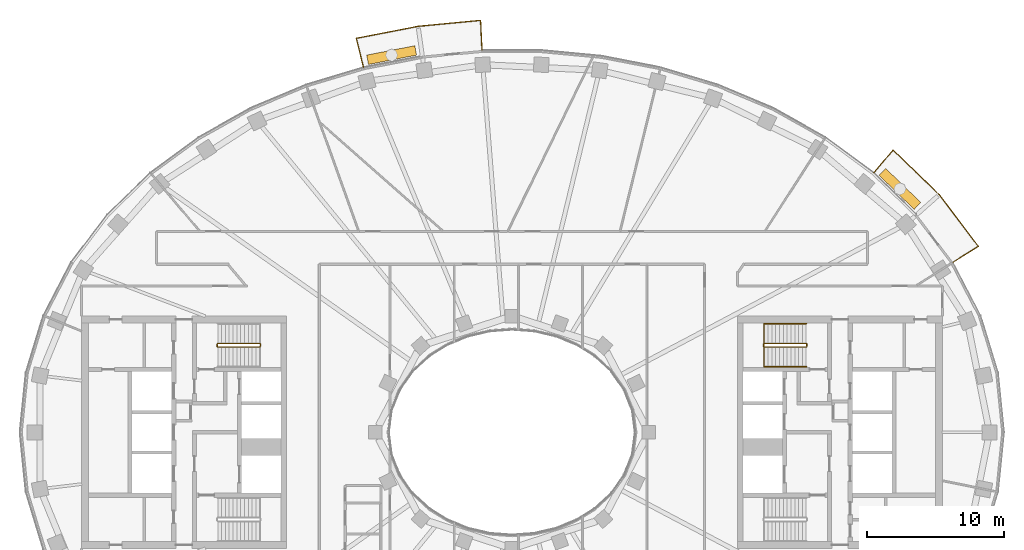
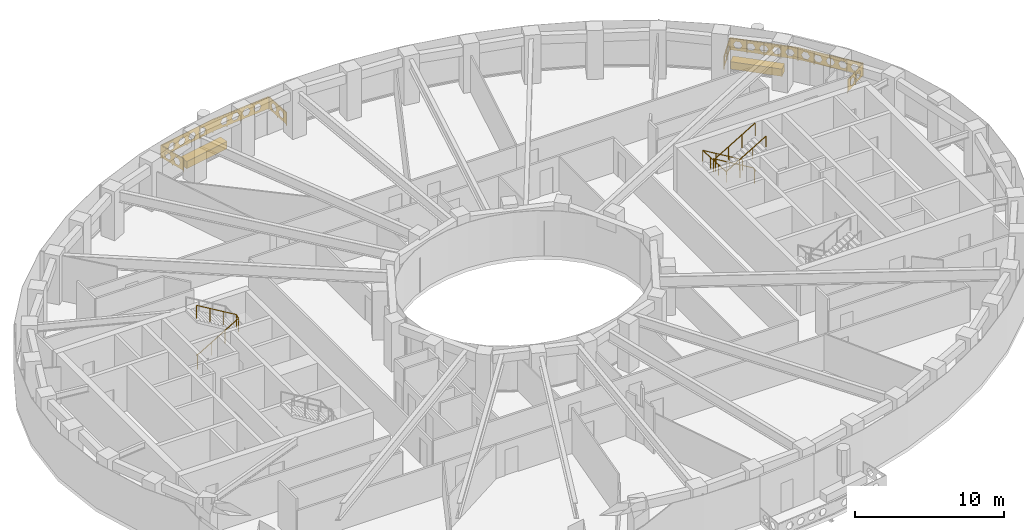
# One storey, part 15 of 16: 5 railings, 2 coverings.
"""IFC4 building model written with IfcOpenShell, lengths in metres."""

from ifc_helpers import new_model, si_unit, direction, frame, origin, origin_2d, place, context, subcontext, project, spatial, polyline, rectangle, outline, extrude, material, type_object, element, save


model = new_model("IFC4")

# Units and contexts
model_context = context("Model", 3, precision=1e-05, world=origin(), true_north=direction((0.0, 1.0)))
body_context = subcontext(model_context, "Body", "Model", "MODEL_VIEW")
ifc_project = project(units=[si_unit("LENGTHUNIT", "METRE"), si_unit("AREAUNIT", "SQUARE_METRE"), si_unit("VOLUMEUNIT", "CUBIC_METRE"), si_unit("PLANEANGLEUNIT", "RADIAN"), si_unit("MASSUNIT", "GRAM", prefix="KILO")], contexts=[model_context])

# Site, building, storey
site_placement = place(None, origin())
site = spatial("IfcSite", under=ifc_project, at=site_placement, CompositionType="ELEMENT")
building_placement = place(site_placement, origin())
building = spatial("IfcBuilding", under=site, at=building_placement, Name="Noorbagh Ring Tower", CompositionType="ELEMENT")
storey_placement = place(building_placement, frame((0.0, 0.0, 245.5)))
storey = spatial("IfcBuildingStorey", under=building, at=storey_placement, Name="L51", CompositionType="ELEMENT", Elevation=245.5)

# Railings
ifc_material_1 = material(Name="Stainless steel", Category="steel")
railing_type_1 = type_object("IfcRailingType", Name="CORE-STAIR-GUARD", PredefinedType="GUARDRAIL", material=ifc_material_1)
railing_1_placement = place(storey_placement, frame((-21.580078125, 6.300048828125, 0.0)))
element("IfcRailing", 1, at=railing_1_placement, inside=storey, type_object=railing_type_1, Name="L51 ST1 stair guard", PredefinedType="GUARDRAIL", context=body_context, shape_type="SweptSolid", body=[
    extrude(rectangle(XDim=0.048095703125, YDim=0.048095703125, at=origin_2d()), frame((0.0, 0.0, 1.076171875), z_axis=(0.0, 1.0, 0.0), x_axis=(-1.0, 0.0, 0.0)), (0.0, 0.0, 1.0), 0.14990234375),
    extrude(rectangle(XDim=0.048095703125, YDim=0.048095703125, at=origin_2d()), frame((0.0, 0.14990234375, 1.076171875), z_axis=(0.188775798145, -0.754182335027, 0.628945707965), x_axis=(0.970072785993, 0.242814311512, 0.0)), (0.0, 0.0, 1.0), 0.26513671875),
    extrude(rectangle(XDim=0.048095703125, YDim=0.048095703125, at=origin_2d()), frame((0.050048828125, -0.050048828125, 1.24267578125), z_axis=(0.859308565015, 0.0, 0.511457515432), x_axis=(0.0, 1.0, 0.0)), (0.0, 0.0, 1.0), 3.58447265625),
    extrude(rectangle(XDim=0.048095703125, YDim=0.048095703125, at=origin_2d()), frame((3.130126953125, -0.050048828125, 3.076171875), z_axis=(0.707106781187, 0.707106781187, 0.0), x_axis=(-0.707106781187, 0.707106781187, 0.0)), (0.0, 0.0, 1.0), 0.07080078125),
    extrude(rectangle(XDim=0.048095703125, YDim=0.048095703125, at=origin_2d()), frame((3.18017578125, 0.0, 3.076171875), z_axis=(0.0, 1.0, 0.0), x_axis=(-1.0, 0.0, 0.0)), (0.0, 0.0, 1.0), 0.14990234375),
    extrude(rectangle(XDim=0.048095703125, YDim=0.048095703125, at=origin_2d()), frame((3.18017578125, 0.14990234375, 3.076171875), z_axis=(-0.27628659633, 0.27628659633, 0.920506074601), x_axis=(-0.707106781187, -0.707106781187, 0.0)), (0.0, 0.0, 1.0), 0.18115234375),
    extrude(rectangle(XDim=0.048095703125, YDim=0.048095703125, at=origin_2d()), frame((3.130126953125, 0.199951171875, 3.24267578125), z_axis=(-0.859308565015, 0.0, 0.511457515432), x_axis=(0.0, -1.0, 0.0)), (0.0, 0.0, 1.0), 3.58447265625),
    extrude(rectangle(XDim=0.0419921875, YDim=0.0419921875, at=origin_2d()), origin(), (0.0, 0.0, 1.0), 1.052001953125),
    extrude(rectangle(XDim=0.0419921875, YDim=0.0419921875, at=origin_2d()), frame((1.07666015625, -0.050048828125, 0.77783203125)), (0.0, 0.0, 1.0), 1.052001953125),
    extrude(rectangle(XDim=0.0419921875, YDim=0.0419921875, at=origin_2d()), frame((2.103515625, -0.050048828125, 1.388916015625)), (0.0, 0.0, 1.0), 1.052001953125),
    extrude(rectangle(XDim=0.0419921875, YDim=0.0419921875, at=origin_2d()), frame((3.130126953125, -0.050048828125, 2.0)), (0.0, 0.0, 1.0), 1.052001953125),
    extrude(rectangle(XDim=0.0419921875, YDim=0.0419921875, at=origin_2d()), frame((3.130126953125, 0.199951171875, 2.166748046875)), (0.0, 0.0, 1.0), 1.052001953125),
    extrude(rectangle(XDim=0.0419921875, YDim=0.0419921875, at=origin_2d()), frame((2.103515625, 0.199951171875, 2.77783203125)), (0.0, 0.0, 1.0), 1.052001953125),
    extrude(rectangle(XDim=0.0419921875, YDim=0.0419921875, at=origin_2d()), frame((1.07666015625, 0.199951171875, 3.388916015625)), (0.0, 0.0, 1.0), 1.052001953125),
    extrude(rectangle(XDim=0.0419921875, YDim=0.0419921875, at=origin_2d()), frame((0.050048828125, 0.199951171875, 4.0)), (0.0, 0.0, 1.0), 1.052001953125),
])
railing_2_placement = place(storey_placement, frame((21.580078125, 6.449951171875, 0.0)))
element("IfcRailing", 2, at=railing_2_placement, inside=storey, type_object=railing_type_1, Name="L51 ST3 stair guard", PredefinedType="GUARDRAIL", context=body_context, shape_type="SweptSolid", body=[
    extrude(rectangle(XDim=0.048095703125, YDim=0.048095703125, at=origin_2d()), frame((0.0, 0.0, 1.076171875), z_axis=(0.0, -1.0, 0.0), x_axis=(1.0, 0.0, 0.0)), (0.0, 0.0, 1.0), 0.14990234375),
    extrude(rectangle(XDim=0.048095703125, YDim=0.048095703125, at=origin_2d()), frame((0.0, -0.14990234375, 1.076171875), z_axis=(-0.188775798145, 0.754182335027, 0.628945707965), x_axis=(-0.970072785993, -0.242814311512, 0.0)), (0.0, 0.0, 1.0), 0.26513671875),
    extrude(rectangle(XDim=0.048095703125, YDim=0.048095703125, at=origin_2d()), frame((-0.050048828125, 0.050048828125, 1.24267578125), z_axis=(-0.859308565015, 0.0, 0.511457515432), x_axis=(0.0, -1.0, 0.0)), (0.0, 0.0, 1.0), 3.58447265625),
    extrude(rectangle(XDim=0.048095703125, YDim=0.048095703125, at=origin_2d()), frame((-3.130126953125, 0.050048828125, 3.076171875), z_axis=(-0.707106781187, -0.707106781187, 0.0), x_axis=(0.707106781187, -0.707106781187, 0.0)), (0.0, 0.0, 1.0), 0.07080078125),
    extrude(rectangle(XDim=0.048095703125, YDim=0.048095703125, at=origin_2d()), frame((-3.18017578125, 0.0, 3.076171875), z_axis=(0.0, -1.0, 0.0), x_axis=(1.0, 0.0, 0.0)), (0.0, 0.0, 1.0), 0.14990234375),
    extrude(rectangle(XDim=0.048095703125, YDim=0.048095703125, at=origin_2d()), frame((-3.18017578125, -0.14990234375, 3.076171875), z_axis=(0.27628659633, -0.27628659633, 0.920506074601), x_axis=(0.707106781187, 0.707106781187, 0.0)), (0.0, 0.0, 1.0), 0.18115234375),
    extrude(rectangle(XDim=0.048095703125, YDim=0.048095703125, at=origin_2d()), frame((-3.130126953125, -0.199951171875, 3.24267578125), z_axis=(0.859308565015, 0.0, 0.511457515432), x_axis=(0.0, 1.0, 0.0)), (0.0, 0.0, 1.0), 3.58447265625),
    extrude(rectangle(XDim=0.0419921875, YDim=0.0419921875, at=origin_2d()), origin(), (0.0, 0.0, 1.0), 1.052001953125),
    extrude(rectangle(XDim=0.0419921875, YDim=0.0419921875, at=origin_2d()), frame((-1.07666015625, 0.050048828125, 0.77783203125)), (0.0, 0.0, 1.0), 1.052001953125),
    extrude(rectangle(XDim=0.0419921875, YDim=0.0419921875, at=origin_2d()), frame((-2.103515625, 0.050048828125, 1.388916015625)), (0.0, 0.0, 1.0), 1.052001953125),
    extrude(rectangle(XDim=0.0419921875, YDim=0.0419921875, at=origin_2d()), frame((-3.130126953125, 0.050048828125, 2.0)), (0.0, 0.0, 1.0), 1.052001953125),
    extrude(rectangle(XDim=0.0419921875, YDim=0.0419921875, at=origin_2d()), frame((-3.130126953125, -0.199951171875, 2.166748046875)), (0.0, 0.0, 1.0), 1.052001953125),
    extrude(rectangle(XDim=0.0419921875, YDim=0.0419921875, at=origin_2d()), frame((-2.103515625, -0.199951171875, 2.77783203125)), (0.0, 0.0, 1.0), 1.052001953125),
    extrude(rectangle(XDim=0.0419921875, YDim=0.0419921875, at=origin_2d()), frame((-1.07666015625, -0.199951171875, 3.388916015625)), (0.0, 0.0, 1.0), 1.052001953125),
    extrude(rectangle(XDim=0.0419921875, YDim=0.0419921875, at=origin_2d()), frame((-0.050048828125, -0.199951171875, 4.0)), (0.0, 0.0, 1.0), 1.052001953125),
])
ifc_material_2 = material(Name="Stainless steel", Category="steel")
railing_type_2 = type_object("IfcRailingType", Name="CORE-STAIR-HANDRAIL", PredefinedType="HANDRAIL", material=ifc_material_2)
railing_3_placement = place(storey_placement, frame((21.530029296875, 7.949951171875, 0.166748046875)))
element("IfcRailing", 3, at=railing_3_placement, inside=storey, type_object=railing_type_2, Name="L51 ST3 stair handrail", PredefinedType="HANDRAIL", context=body_context, shape_type="SweptSolid", body=[
    extrude(rectangle(XDim=0.048095703125, YDim=0.048095703125, at=origin_2d()), frame((0.0, 0.0, 0.8759765625), z_axis=(-0.859308565015, 0.0, 0.511457515432), x_axis=(0.0, -1.0, 0.0)), (0.0, 0.0, 1.0), 3.58447265625),
    extrude(rectangle(XDim=0.048095703125, YDim=0.048095703125, at=origin_2d()), frame((-3.080078125, 0.0, 2.708984375), z_axis=(0.0, -0.998601747152, 0.052863509014), x_axis=(1.0, 0.0, 0.0)), (0.0, 0.0, 1.0), 3.154296875),
    extrude(rectangle(XDim=0.048095703125, YDim=0.048095703125, at=origin_2d()), frame((-3.080078125, -3.14990234375, 2.8759765625), z_axis=(0.859308565015, 0.0, 0.511457515432), x_axis=(0.0, 1.0, 0.0)), (0.0, 0.0, 1.0), 3.58447265625),
    extrude(rectangle(XDim=0.0419921875, YDim=0.0419921875, at=origin_2d()), origin(), (0.0, 0.0, 1.0), 0.851806640625),
    extrude(rectangle(XDim=0.0419921875, YDim=0.0419921875, at=origin_2d()), frame((-1.026611328125, 0.0, 0.611083984375)), (0.0, 0.0, 1.0), 0.851806640625),
    extrude(rectangle(XDim=0.0419921875, YDim=0.0419921875, at=origin_2d()), frame((-2.053466796875, 0.0, 1.22216796875)), (0.0, 0.0, 1.0), 0.851806640625),
    extrude(rectangle(XDim=0.0419921875, YDim=0.0419921875, at=origin_2d()), frame((-3.080078125, 0.0, 1.833251953125)), (0.0, 0.0, 1.0), 0.851806640625),
    extrude(rectangle(XDim=0.0419921875, YDim=0.0419921875, at=origin_2d()), frame((-3.080078125, -1.050048828125, 1.888916015625)), (0.0, 0.0, 1.0), 0.851806640625),
    extrude(rectangle(XDim=0.0419921875, YDim=0.0419921875, at=origin_2d()), frame((-3.080078125, -2.099853515625, 1.9443359375)), (0.0, 0.0, 1.0), 0.851806640625),
    extrude(rectangle(XDim=0.0419921875, YDim=0.0419921875, at=origin_2d()), frame((-3.080078125, -3.14990234375, 2.0)), (0.0, 0.0, 1.0), 0.851806640625),
    extrude(rectangle(XDim=0.0419921875, YDim=0.0419921875, at=origin_2d()), frame((-2.053466796875, -3.14990234375, 2.611083984375)), (0.0, 0.0, 1.0), 0.851806640625),
    extrude(rectangle(XDim=0.0419921875, YDim=0.0419921875, at=origin_2d()), frame((-1.026611328125, -3.14990234375, 3.22216796875)), (0.0, 0.0, 1.0), 0.851806640625),
    extrude(rectangle(XDim=0.0419921875, YDim=0.0419921875, at=origin_2d()), frame((0.0, -3.14990234375, 3.833251953125)), (0.0, 0.0, 1.0), 0.851806640625),
])
ifc_material_3 = material(Name="Steel S275 black powder-coated", Category="steel")
railing_type_3 = type_object("IfcRailingType", Name="ENV-GUARD", PredefinedType="GUARDRAIL", material=ifc_material_3)
railing_4_placement = place(storey_placement, frame((32.255126953125, 12.434814453125, 0.0)))
element("IfcRailing", 4, at=railing_4_placement, inside=storey, type_object=railing_type_3, Name="Balcony guard BN01", PredefinedType="GUARDRAIL", context=body_context, shape_type="SweptSolid", body=[
    extrude(rectangle(XDim=0.048095703125, YDim=0.048095703125, at=origin_2d()), frame((0.0, 0.0, 1.076171875), z_axis=(0.844852397829, 0.534999463442, 0.0), x_axis=(-0.534999463442, 0.844852397829, 0.0)), (0.0, 0.0, 1.0), 2.207763671875),
    extrude(rectangle(XDim=0.048095703125, YDim=0.048095703125, at=origin_2d()), frame((1.865234375, 1.18115234375, 1.076171875), z_axis=(-0.604001613322, 0.796983093362, 0.0), x_axis=(-0.796983093362, -0.604001613322, 0.0)), (0.0, 0.0, 1.0), 4.7353515625),
    extrude(rectangle(XDim=0.048095703125, YDim=0.048095703125, at=origin_2d()), frame((-0.994873046875, 4.955078125, 1.076171875), z_axis=(-0.717212632946, 0.696854388766, 0.0), x_axis=(-0.696854388766, -0.717212632946, 0.0)), (0.0, 0.0, 1.0), 4.700927734375),
    extrude(rectangle(XDim=0.048095703125, YDim=0.048095703125, at=origin_2d()), frame((-4.366455078125, 8.23095703125, 1.076171875), z_axis=(-0.646413574048, -0.762987215677, 0.0), x_axis=(0.762987215677, -0.646413574048, 0.0)), (0.0, 0.0, 1.0), 2.205322265625),
    extrude(rectangle(XDim=0.0419921875, YDim=0.0419921875, at=origin_2d()), origin(), (0.0, 0.0, 1.0), 1.052001953125),
    extrude(rectangle(XDim=0.0419921875, YDim=0.0419921875, at=origin_2d()), frame((0.9326171875, 0.590576171875, 0.0)), (0.0, 0.0, 1.0), 1.052001953125),
    extrude(rectangle(XDim=0.0419921875, YDim=0.0419921875, at=origin_2d()), frame((1.865234375, 1.18115234375, 0.0)), (0.0, 0.0, 1.0), 1.052001953125),
    extrude(rectangle(XDim=0.0419921875, YDim=0.0419921875, at=origin_2d()), frame((1.150146484375, 2.12451171875, 0.0)), (0.0, 0.0, 1.0), 1.052001953125),
    extrude(rectangle(XDim=0.0419921875, YDim=0.0419921875, at=origin_2d()), frame((0.43505859375, 3.068115234375, 0.0)), (0.0, 0.0, 1.0), 1.052001953125),
    extrude(rectangle(XDim=0.0419921875, YDim=0.0419921875, at=origin_2d()), frame((-0.27978515625, 4.01171875, 0.0)), (0.0, 0.0, 1.0), 1.052001953125),
    extrude(rectangle(XDim=0.0419921875, YDim=0.0419921875, at=origin_2d()), frame((-0.994873046875, 4.955078125, 0.0)), (0.0, 0.0, 1.0), 1.052001953125),
    extrude(rectangle(XDim=0.0419921875, YDim=0.0419921875, at=origin_2d()), frame((-1.837890625, 5.77392578125, 0.0)), (0.0, 0.0, 1.0), 1.052001953125),
    extrude(rectangle(XDim=0.0419921875, YDim=0.0419921875, at=origin_2d()), frame((-2.6806640625, 6.593017578125, 0.0)), (0.0, 0.0, 1.0), 1.052001953125),
    extrude(rectangle(XDim=0.0419921875, YDim=0.0419921875, at=origin_2d()), frame((-3.5234375, 7.412109375, 0.0)), (0.0, 0.0, 1.0), 1.052001953125),
    extrude(rectangle(XDim=0.0419921875, YDim=0.0419921875, at=origin_2d()), frame((-4.366455078125, 8.23095703125, 0.0)), (0.0, 0.0, 1.0), 1.052001953125),
    extrude(rectangle(XDim=0.0419921875, YDim=0.0419921875, at=origin_2d()), frame((-5.0791015625, 7.3896484375, 0.0)), (0.0, 0.0, 1.0), 1.052001953125),
    extrude(rectangle(XDim=0.0419921875, YDim=0.0419921875, at=origin_2d()), frame((-5.7919921875, 6.54833984375, 0.0)), (0.0, 0.0, 1.0), 1.052001953125),
    extrude(outline(polyline([(0.0, 0.10009765625), (2.207763671875, 0.10009765625), (2.207763671875, 1.031982421875), (0.0, 1.031982421875), (0.0, 0.10009765625)]), holes=[polyline([(0.9638671875, 0.56591796875), (0.808837890625, 0.83447265625), (0.498779296875, 0.83447265625), (0.343994140625, 0.56591796875), (0.498779296875, 0.297607421875), (0.808837890625, 0.297607421875), (0.9638671875, 0.56591796875)]), polyline([(1.86376953125, 0.56591796875), (1.708984375, 0.83447265625), (1.39892578125, 0.83447265625), (1.243896484375, 0.56591796875), (1.39892578125, 0.297607421875), (1.708984375, 0.297607421875), (1.86376953125, 0.56591796875)])]), frame((-0.00537109375, 0.008544921875, 0.0), z_axis=(0.534999463442, -0.844852397829, 0.0), x_axis=(0.844852397829, 0.534999463442, 0.0)), (0.0, 0.0, 1.0), 0.02001953125),
    extrude(outline(polyline([(0.0, 0.10009765625), (4.7353515625, 0.10009765625), (4.7353515625, 1.031982421875), (0.0, 1.031982421875), (0.0, 0.10009765625)]), holes=[polyline([(0.877685546875, 0.56591796875), (0.72265625, 0.83447265625), (0.41259765625, 0.83447265625), (0.257568359375, 0.56591796875), (0.41259765625, 0.297607421875), (0.72265625, 0.297607421875), (0.877685546875, 0.56591796875)]), polyline([(1.777587890625, 0.56591796875), (1.62255859375, 0.83447265625), (1.312744140625, 0.83447265625), (1.15771484375, 0.56591796875), (1.312744140625, 0.297607421875), (1.62255859375, 0.297607421875), (1.777587890625, 0.56591796875)]), polyline([(2.677734375, 0.56591796875), (2.522705078125, 0.83447265625), (2.212646484375, 0.83447265625), (2.0576171875, 0.56591796875), (2.212646484375, 0.297607421875), (2.522705078125, 0.297607421875), (2.677734375, 0.56591796875)]), polyline([(3.57763671875, 0.56591796875), (3.422607421875, 0.83447265625), (3.112548828125, 0.83447265625), (2.95751953125, 0.56591796875), (3.112548828125, 0.297607421875), (3.422607421875, 0.297607421875), (3.57763671875, 0.56591796875)]), polyline([(4.4775390625, 0.56591796875), (4.32275390625, 0.83447265625), (4.0126953125, 0.83447265625), (3.857666015625, 0.56591796875), (4.0126953125, 0.297607421875), (4.32275390625, 0.297607421875), (4.4775390625, 0.56591796875)])]), frame((1.857177734375, 1.175048828125, 0.0), z_axis=(0.796983093362, 0.604001613322, 0.0), x_axis=(-0.604001613322, 0.796983093362, 0.0)), (0.0, 0.0, 1.0), 0.02001953125),
    extrude(outline(polyline([(0.0, 0.10009765625), (4.700927734375, 0.10009765625), (4.700927734375, 1.031982421875), (0.0, 1.031982421875), (0.0, 0.10009765625)]), holes=[polyline([(0.860595703125, 0.56591796875), (0.70556640625, 0.83447265625), (0.3955078125, 0.83447265625), (0.240478515625, 0.56591796875), (0.3955078125, 0.297607421875), (0.70556640625, 0.297607421875), (0.860595703125, 0.56591796875)]), polyline([(1.760498046875, 0.56591796875), (1.60546875, 0.83447265625), (1.29541015625, 0.83447265625), (1.140380859375, 0.56591796875), (1.29541015625, 0.297607421875), (1.60546875, 0.297607421875), (1.760498046875, 0.56591796875)]), polyline([(2.660400390625, 0.56591796875), (2.50537109375, 0.83447265625), (2.195556640625, 0.83447265625), (2.04052734375, 0.56591796875), (2.195556640625, 0.297607421875), (2.50537109375, 0.297607421875), (2.660400390625, 0.56591796875)]), polyline([(3.560546875, 0.56591796875), (3.405517578125, 0.83447265625), (3.095458984375, 0.83447265625), (2.9404296875, 0.56591796875), (3.095458984375, 0.297607421875), (3.405517578125, 0.297607421875), (3.560546875, 0.56591796875)]), polyline([(4.46044921875, 0.56591796875), (4.305419921875, 0.83447265625), (3.995361328125, 0.83447265625), (3.840576171875, 0.56591796875), (3.995361328125, 0.297607421875), (4.305419921875, 0.297607421875), (4.46044921875, 0.56591796875)])]), frame((-1.001953125, 4.947998046875, 0.0), z_axis=(0.696854388766, 0.717212632946, 0.0), x_axis=(-0.717212632946, 0.696854388766, 0.0)), (0.0, 0.0, 1.0), 0.02001953125),
    extrude(outline(polyline([(0.0, 0.10009765625), (2.205322265625, 0.10009765625), (2.205322265625, 1.031982421875), (0.0, 1.031982421875), (0.0, 0.10009765625)]), holes=[polyline([(0.962646484375, 0.56591796875), (0.8076171875, 0.83447265625), (0.49755859375, 0.83447265625), (0.342529296875, 0.56591796875), (0.49755859375, 0.297607421875), (0.8076171875, 0.297607421875), (0.962646484375, 0.56591796875)]), polyline([(1.862548828125, 0.56591796875), (1.707763671875, 0.83447265625), (1.397705078125, 0.83447265625), (1.24267578125, 0.56591796875), (1.397705078125, 0.297607421875), (1.707763671875, 0.297607421875), (1.862548828125, 0.56591796875)])]), frame((-4.35888671875, 8.224609375, 0.0), z_axis=(-0.762987215677, 0.646413574048, 0.0), x_axis=(-0.646413574048, -0.762987215677, 0.0)), (0.0, 0.0, 1.0), 0.02001953125),
])
railing_5_placement = place(storey_placement, frame((-2.193115234375, 27.947998046875, 0.0)))
element("IfcRailing", 5, at=railing_5_placement, inside=storey, type_object=railing_type_3, Name="Balcony guard BN04", PredefinedType="GUARDRAIL", context=body_context, shape_type="SweptSolid", body=[
    extrude(rectangle(XDim=0.048095703125, YDim=0.048095703125, at=origin_2d()), frame((0.0, 0.0, 1.076171875), z_axis=(-0.047554616162, 0.998868639252, 0.0), x_axis=(-0.998868639252, -0.047554616162, 0.0)), (0.0, 0.0, 1.0), 2.202392578125),
    extrude(rectangle(XDim=0.048095703125, YDim=0.048095703125, at=origin_2d()), frame((-0.104736328125, 2.199951171875, 1.076171875), z_axis=(-0.995477555764, -0.094997031379, 0.0), x_axis=(0.094997031379, -0.995477555764, 0.0)), (0.0, 0.0, 1.0), 4.59765625),
    extrude(rectangle(XDim=0.048095703125, YDim=0.048095703125, at=origin_2d()), frame((-4.681640625, 1.76318359375, 1.076171875), z_axis=(-0.981625049064, -0.1908199755, 0.0), x_axis=(0.1908199755, -0.981625049064, 0.0)), (0.0, 0.0, 1.0), 4.603271484375),
    extrude(rectangle(XDim=0.048095703125, YDim=0.048095703125, at=origin_2d()), frame((-9.200439453125, 0.884765625, 1.076171875), z_axis=(0.239848558412, -0.970810315679, 0.0), x_axis=(0.970810315679, 0.239848558412, 0.0)), (0.0, 0.0, 1.0), 2.20263671875),
    extrude(rectangle(XDim=0.0419921875, YDim=0.0419921875, at=origin_2d()), origin(), (0.0, 0.0, 1.0), 1.052001953125),
    extrude(rectangle(XDim=0.0419921875, YDim=0.0419921875, at=origin_2d()), frame((-0.05224609375, 1.10009765625, 0.0)), (0.0, 0.0, 1.0), 1.052001953125),
    extrude(rectangle(XDim=0.0419921875, YDim=0.0419921875, at=origin_2d()), frame((-0.104736328125, 2.199951171875, 0.0)), (0.0, 0.0, 1.0), 1.052001953125),
    extrude(rectangle(XDim=0.0419921875, YDim=0.0419921875, at=origin_2d()), frame((-1.2490234375, 2.0908203125, 0.0)), (0.0, 0.0, 1.0), 1.052001953125),
    extrude(rectangle(XDim=0.0419921875, YDim=0.0419921875, at=origin_2d()), frame((-2.39306640625, 1.9814453125, 0.0)), (0.0, 0.0, 1.0), 1.052001953125),
    extrude(rectangle(XDim=0.0419921875, YDim=0.0419921875, at=origin_2d()), frame((-3.537353515625, 1.872314453125, 0.0)), (0.0, 0.0, 1.0), 1.052001953125),
    extrude(rectangle(XDim=0.0419921875, YDim=0.0419921875, at=origin_2d()), frame((-4.681640625, 1.76318359375, 0.0)), (0.0, 0.0, 1.0), 1.052001953125),
    extrude(rectangle(XDim=0.0419921875, YDim=0.0419921875, at=origin_2d()), frame((-5.811279296875, 1.54345703125, 0.0)), (0.0, 0.0, 1.0), 1.052001953125),
    extrude(rectangle(XDim=0.0419921875, YDim=0.0419921875, at=origin_2d()), frame((-6.94091796875, 1.323974609375, 0.0)), (0.0, 0.0, 1.0), 1.052001953125),
    extrude(rectangle(XDim=0.0419921875, YDim=0.0419921875, at=origin_2d()), frame((-8.07080078125, 1.1044921875, 0.0)), (0.0, 0.0, 1.0), 1.052001953125),
    extrude(rectangle(XDim=0.0419921875, YDim=0.0419921875, at=origin_2d()), frame((-9.200439453125, 0.884765625, 0.0)), (0.0, 0.0, 1.0), 1.052001953125),
    extrude(rectangle(XDim=0.0419921875, YDim=0.0419921875, at=origin_2d()), frame((-8.936279296875, -0.1845703125, 0.0)), (0.0, 0.0, 1.0), 1.052001953125),
    extrude(rectangle(XDim=0.0419921875, YDim=0.0419921875, at=origin_2d()), frame((-8.672119140625, -1.253662109375, 0.0)), (0.0, 0.0, 1.0), 1.052001953125),
    extrude(outline(polyline([(0.0, 0.10009765625), (2.202392578125, 0.10009765625), (2.202392578125, 1.031982421875), (0.0, 1.031982421875), (0.0, 0.10009765625)]), holes=[polyline([(0.961181640625, 0.56591796875), (0.80615234375, 0.83447265625), (0.496337890625, 0.83447265625), (0.34130859375, 0.56591796875), (0.496337890625, 0.297607421875), (0.80615234375, 0.297607421875), (0.961181640625, 0.56591796875)]), polyline([(1.861328125, 0.56591796875), (1.706298828125, 0.83447265625), (1.396240234375, 0.83447265625), (1.2412109375, 0.56591796875), (1.396240234375, 0.297607421875), (1.706298828125, 0.297607421875), (1.861328125, 0.56591796875)])]), frame((-0.010009765625, -0.00048828125, 0.0), z_axis=(0.998868639252, 0.047554616162, 0.0), x_axis=(-0.047554616162, 0.998868639252, 0.0)), (0.0, 0.0, 1.0), 0.02001953125),
    extrude(outline(polyline([(0.0, 0.10009765625), (4.59765625, 0.10009765625), (4.59765625, 1.031982421875), (0.0, 1.031982421875), (0.0, 0.10009765625)]), holes=[polyline([(1.2587890625, 0.56591796875), (1.103759765625, 0.83447265625), (0.7939453125, 0.83447265625), (0.638916015625, 0.56591796875), (0.7939453125, 0.297607421875), (1.103759765625, 0.297607421875), (1.2587890625, 0.56591796875)]), polyline([(2.158935546875, 0.56591796875), (2.00390625, 0.83447265625), (1.69384765625, 0.83447265625), (1.538818359375, 0.56591796875), (1.69384765625, 0.297607421875), (2.00390625, 0.297607421875), (2.158935546875, 0.56591796875)]), polyline([(3.058837890625, 0.56591796875), (2.90380859375, 0.83447265625), (2.59375, 0.83447265625), (2.43896484375, 0.56591796875), (2.59375, 0.297607421875), (2.90380859375, 0.297607421875), (3.058837890625, 0.56591796875)]), polyline([(3.958740234375, 0.56591796875), (3.803955078125, 0.83447265625), (3.493896484375, 0.83447265625), (3.3388671875, 0.56591796875), (3.493896484375, 0.297607421875), (3.803955078125, 0.297607421875), (3.958740234375, 0.56591796875)])]), frame((-0.103759765625, 2.18994140625, 0.0), z_axis=(-0.094997031379, 0.995477555764, 0.0), x_axis=(-0.995477555764, -0.094997031379, 0.0)), (0.0, 0.0, 1.0), 0.02001953125),
    extrude(outline(polyline([(0.0, 0.10009765625), (4.603271484375, 0.10009765625), (4.603271484375, 1.031982421875), (0.0, 1.031982421875), (0.0, 0.10009765625)]), holes=[polyline([(1.26171875, 0.56591796875), (1.106689453125, 0.83447265625), (0.796630859375, 0.83447265625), (0.6416015625, 0.56591796875), (0.796630859375, 0.297607421875), (1.106689453125, 0.297607421875), (1.26171875, 0.56591796875)]), polyline([(2.16162109375, 0.56591796875), (2.006591796875, 0.83447265625), (1.69677734375, 0.83447265625), (1.541748046875, 0.56591796875), (1.69677734375, 0.297607421875), (2.006591796875, 0.297607421875), (2.16162109375, 0.56591796875)]), polyline([(3.061767578125, 0.56591796875), (2.90673828125, 0.83447265625), (2.5966796875, 0.83447265625), (2.441650390625, 0.56591796875), (2.5966796875, 0.297607421875), (2.90673828125, 0.297607421875), (3.061767578125, 0.56591796875)]), polyline([(3.961669921875, 0.56591796875), (3.806640625, 0.83447265625), (3.49658203125, 0.83447265625), (3.341796875, 0.56591796875), (3.49658203125, 0.297607421875), (3.806640625, 0.297607421875), (3.961669921875, 0.56591796875)])]), frame((-4.6796875, 1.75341796875, 0.0), z_axis=(-0.1908199755, 0.981625049064, 0.0), x_axis=(-0.981625049064, -0.1908199755, 0.0)), (0.0, 0.0, 1.0), 0.02001953125),
    extrude(outline(polyline([(0.0, 0.10009765625), (2.20263671875, 0.10009765625), (2.20263671875, 1.031982421875), (0.0, 1.031982421875), (0.0, 0.10009765625)]), holes=[polyline([(0.96142578125, 0.56591796875), (0.806396484375, 0.83447265625), (0.496337890625, 0.83447265625), (0.34130859375, 0.56591796875), (0.496337890625, 0.297607421875), (0.806396484375, 0.297607421875), (0.96142578125, 0.56591796875)]), polyline([(1.861328125, 0.56591796875), (1.706298828125, 0.83447265625), (1.396240234375, 0.83447265625), (1.241455078125, 0.56591796875), (1.396240234375, 0.297607421875), (1.706298828125, 0.297607421875), (1.861328125, 0.56591796875)])]), frame((-9.190673828125, 0.88720703125, 0.0), z_axis=(-0.970810315679, -0.239848558412, 0.0), x_axis=(0.239848558412, -0.970810315679, 0.0)), (0.0, 0.0, 1.0), 0.02001953125),
])

# Coverings
ifc_material_4 = material(Name="Concrete C30/37 planter with soil", Category="concrete")
covering_type = type_object("IfcCoveringType", Name="ENV-PLANTER", PredefinedType="CLADDING", material=ifc_material_4)
covering_1_placement = place(storey_placement, frame((28.3837890625, 17.814208984375, 0.0), z_axis=(0.0, 0.0, 1.0), x_axis=(-0.717224548362, 0.696842125038, 0.0)))
element("IfcCovering", 6, at=covering_1_placement, inside=storey, type_object=covering_type, Name="PLANTER BN01", ObjectType="PLANTER", PredefinedType="CLADDING", context=body_context, shape_type="SweptSolid", body=[
    extrude(rectangle(XDim=3.584228515625, YDim=0.699951171875, at=origin_2d()), origin(), (0.0, 0.0, 1.0), 0.60009765625),
])
covering_2_placement = place(storey_placement, frame((-8.807861328125, 27.603515625, 0.0), z_axis=(0.0, 0.0, 1.0), x_axis=(-0.981624952922, -0.190820470077, 0.0)))
element("IfcCovering", 7, at=covering_2_placement, inside=storey, type_object=covering_type, Name="PLANTER BN04", ObjectType="PLANTER", PredefinedType="CLADDING", context=body_context, shape_type="SweptSolid", body=[
    extrude(rectangle(XDim=3.586181640625, YDim=0.699951171875, at=origin_2d()), origin(), (0.0, 0.0, 1.0), 0.60009765625),
])

save(model, "model.ifc")
